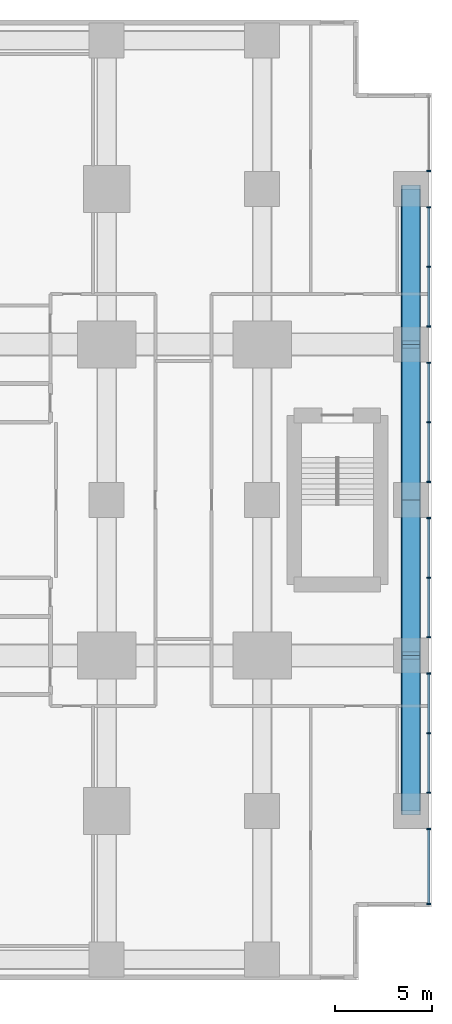
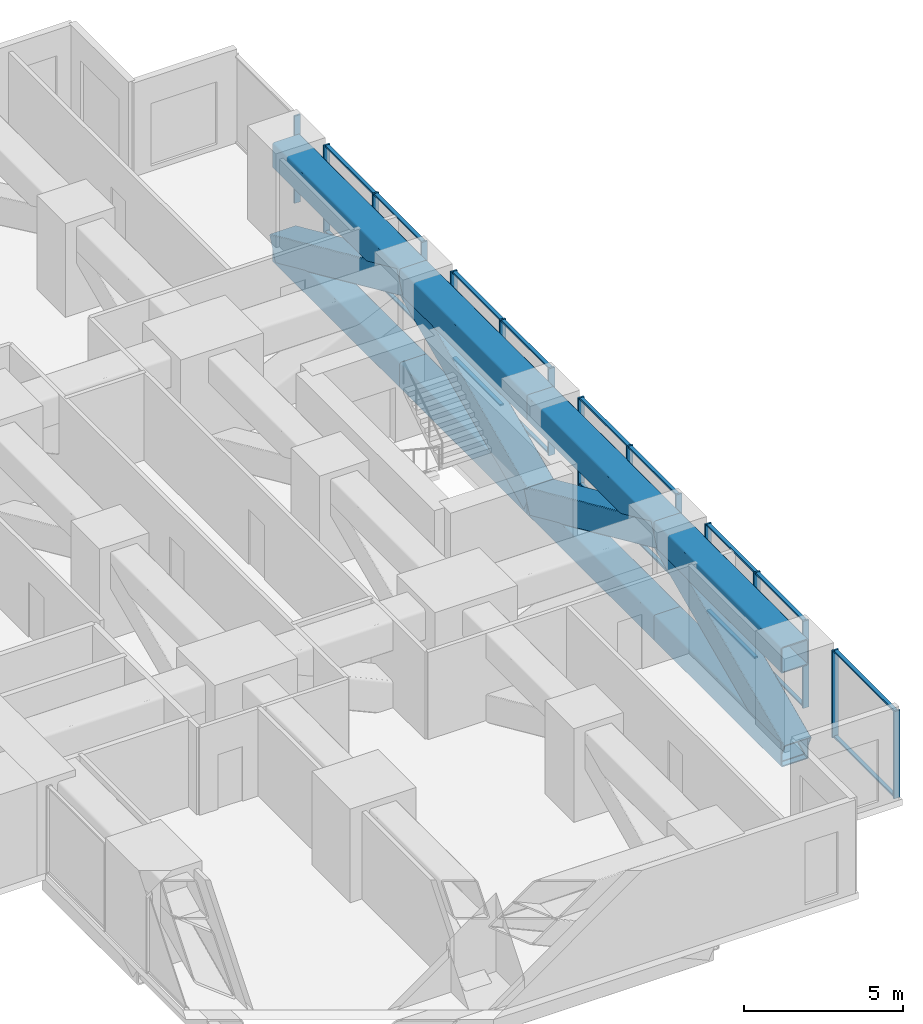
# One storey, part 7 of 14: 45 members, 6 elements without a shape of their own.
"""IFC4 building model written with IfcOpenShell, lengths in metres."""

import ifcopenshell
import ifcopenshell.guid

model = None  # the IFC model being written
_history = None  # IfcOwnerHistory: only IFC2X3 demands one
_inside = {}  # id of a spatial element -> (the spatial element, [elements in it])
_under = {}  # id of a project, library or spatial element -> (it, [spatial elements below it])
_declared = {}  # id of a project -> (the project, [libraries it declares])
_typed = {}  # id of a type object -> (the type object, [elements of that type])
_made_of = {}  # id of a material, layer set ... -> (it, [elements and type objects made of it])


def new_model(schema):
    """Start an empty IFC model of exactly this schema.

    Asked for "IFC4X3", IfcOpenShell would pick the latest addendum, in which some entities
    have other attributes; the version numbers below select the first issue.
    IFC2X3 requires an IfcOwnerHistory on every rooted entity: one is made here for all.
    """
    global model, _history
    if schema == "IFC4X3":
        model = ifcopenshell.file(schema_version=(4, 3, 0, 0))
    else:
        model = ifcopenshell.file(schema=schema)
    _inside.clear()
    _under.clear()
    _declared.clear()
    _typed.clear()
    _made_of.clear()
    _history = None
    if model.schema == "IFC2X3":
        org = make("IfcOrganization", Name="unknown")
        user = make(
            "IfcPersonAndOrganization",
            ThePerson=make("IfcPerson", FamilyName="unknown"),
            TheOrganization=org,
        )
        app = make(
            "IfcApplication",
            ApplicationDeveloper=org,
            Version="unknown",
            ApplicationFullName="unknown",
            ApplicationIdentifier="unknown",
        )
        _history = make(
            "IfcOwnerHistory",
            OwningUser=user,
            OwningApplication=app,
            ChangeAction="ADDED",
            CreationDate=0,
        )
    return model


def make(cls, **values):
    """One entity of the class cls with the attributes given. An attribute that is None is left unset."""
    return model.create_entity(
        cls, **{name: value for name, value in values.items() if value is not None}
    )


def rooted(cls, **values):
    """An entity with a GlobalId (a new one), such as an element, a storey or a relation."""
    return make(cls, GlobalId=ifcopenshell.guid.new(), OwnerHistory=_history, **values)


def si_unit(unit_type, name, prefix=None):
    """IfcSIUnit, for example si_unit("LENGTHUNIT", "METRE", prefix="MILLI")."""
    return make("IfcSIUnit", UnitType=unit_type, Prefix=prefix, Name=name)


def assignment(units):
    """IfcUnitAssignment: the units of a project."""
    return None if units is None else make("IfcUnitAssignment", Units=units)


def point(xyz):
    """IfcCartesianPoint."""
    return None if xyz is None else make("IfcCartesianPoint", Coordinates=xyz)


def direction(xyz):
    """IfcDirection."""
    return None if xyz is None else make("IfcDirection", DirectionRatios=xyz)


def frame(location, z_axis=None, x_axis=None):
    """IfcAxis2Placement3D, a coordinate frame: its origin and axes. An axis left out is left unset."""
    return make(
        "IfcAxis2Placement3D",
        Location=point(location),
        Axis=direction(z_axis),
        RefDirection=direction(x_axis),
    )


def frame_2d(location, x_axis=None):
    """IfcAxis2Placement2D, a coordinate frame in the plane: its origin and x axis."""
    return make(
        "IfcAxis2Placement2D", Location=point(location), RefDirection=direction(x_axis)
    )


def origin():
    """The frame at (0, 0, 0) with its axes left unset."""
    return frame((0.0, 0.0, 0.0))


def origin_2d():
    """The frame at (0, 0) in the plane with its x axis left unset."""
    return frame_2d((0.0, 0.0))


def place(relative_to, where):
    """IfcLocalPlacement: puts the frame where relative to a parent placement (None: the world)."""
    return make(
        "IfcLocalPlacement", PlacementRelTo=relative_to, RelativePlacement=where
    )


def context(
    kind, dimensions, precision=None, world=None, true_north=None, identifier=None
):
    """IfcGeometricRepresentationContext, for example the 3D "Model" context."""
    return make(
        "IfcGeometricRepresentationContext",
        ContextIdentifier=identifier,
        ContextType=kind,
        CoordinateSpaceDimension=dimensions,
        Precision=precision,
        WorldCoordinateSystem=world,
        TrueNorth=true_north,
    )


def subcontext(parent, identifier, kind, view, scale=None):
    """IfcGeometricRepresentationSubContext, for example "Body" below "Model"."""
    return make(
        "IfcGeometricRepresentationSubContext",
        ContextIdentifier=identifier,
        ContextType=kind,
        ParentContext=parent,
        TargetScale=scale,
        TargetView=view,
    )


def project(units=None, contexts=None):
    """IfcProject with its units and contexts."""
    return rooted(
        "IfcProject",
        Name="project",
        RepresentationContexts=contexts,
        UnitsInContext=assignment(units),
    )


def spatial(cls, under=None, at=None, **own):
    """A site, building, storey or space (cls), placed at a placement, below another one or the project."""
    s = rooted(cls, ObjectPlacement=at, **own)
    if under is not None:
        _under.setdefault(under.id(), (under, []))[1].append(s)
    return s


def profile(cls, at=None, kind="AREA", **sizes):
    """A parametric profile (cls). Its sizes go by their IFC names, for example OverallWidth=200.0."""
    return make(cls, ProfileType=kind, Position=at, **sizes)


def rectangle(**sizes):
    """IfcRectangleProfileDef."""
    return profile("IfcRectangleProfileDef", **sizes)


def hollow_rectangle(**sizes):
    """IfcRectangleHollowProfileDef."""
    return profile("IfcRectangleHollowProfileDef", **sizes)


def extrude(swept, where, along, depth):
    """IfcExtrudedAreaSolid: the profile swept, set in the frame where, extruded along a direction by depth."""
    return make(
        "IfcExtrudedAreaSolid",
        SweptArea=swept,
        Position=where,
        ExtrudedDirection=direction(along),
        Depth=depth,
    )


def shape(context_of_items, identifier, shape_type, items):
    """IfcShapeRepresentation: the items that make up one representation, for example the "Body"."""
    return make(
        "IfcShapeRepresentation",
        ContextOfItems=context_of_items,
        RepresentationIdentifier=identifier,
        RepresentationType=shape_type,
        Items=items,
    )


def material(Name=None, Category=None):
    """IfcMaterial."""
    return make("IfcMaterial", Name=Name, Category=Category)


def layer(
    of_material, thickness, ventilated=None, Name=None, Category=None, Priority=None
):
    """IfcMaterialLayer: one layer of a wall or slab, of a material (None: an air gap)."""
    return make(
        "IfcMaterialLayer",
        Material=of_material,
        LayerThickness=thickness,
        IsVentilated=ventilated,
        Name=Name,
        Category=Category,
        Priority=Priority,
    )


def layer_set(layers, Name=None):
    """IfcMaterialLayerSet."""
    return make("IfcMaterialLayerSet", MaterialLayers=layers, LayerSetName=Name)


def material_profile(
    of_material, cross_section, Name=None, Category=None, Priority=None
):
    """IfcMaterialProfile: a cross section and its material."""
    return make(
        "IfcMaterialProfile",
        Name=Name,
        Material=of_material,
        Profile=cross_section,
        Priority=Priority,
        Category=Category,
    )


def profile_set(profiles, Name=None, composite=None):
    """IfcMaterialProfileSet."""
    return make(
        "IfcMaterialProfileSet",
        Name=Name,
        MaterialProfiles=profiles,
        CompositeProfile=composite,
    )


def made_of(thing, what):
    """Note that an element or type object is made of a material, layer set ...; save() writes the relation."""
    if what is not None:
        _made_of.setdefault(what.id(), (what, []))[1].append(thing)
    return thing


def type_object(cls, material=None, **own):
    """A type object (cls), such as IfcWallType, which elements share."""
    return made_of(rooted(cls, **own), material)


def element(
    cls,
    number,
    at=None,
    inside=None,
    cuts=None,
    type_object=None,
    material=None,
    context=None,
    identifier="Body",
    shape_type=None,
    held_by="IfcProductDefinitionShape",
    body=None,
    shapes=None,
    **own,
):
    """One element of the class cls, such as IfcWall. Its Tag is "e" and its number.

    at: its placement. inside: the storey or other place that contains it. cuts: it is an
    opening in that element (IfcRelVoidsElement). A single representation is given by context,
    identifier, shape_type and body (its items); several are given by shapes. held_by: the class
    of the entity that holds the representations. save() writes the other relations.
    """
    e = rooted(cls, Tag="e%d" % number, ObjectPlacement=at, **own)
    if body is not None:
        shapes = [shape(context, identifier, shape_type, body)]
    if shapes is not None:
        e.Representation = make(held_by, Representations=shapes)
    if inside is not None:
        _inside.setdefault(inside.id(), (inside, []))[1].append(e)
    if cuts is not None:
        rooted(
            "IfcRelVoidsElement", RelatingBuildingElement=cuts, RelatedOpeningElement=e
        )
    if type_object is not None:
        _typed.setdefault(type_object.id(), (type_object, []))[1].append(e)
    return made_of(e, material)


def aggregate(whole, parts):
    """IfcRelAggregates: a whole, such as a stair, and the parts it consists of."""
    return rooted("IfcRelAggregates", RelatingObject=whole, RelatedObjects=parts)


def save(model, path):
    """Write the relations noted so far, then the file.

    IfcRelAggregates (storeys below a building ...), IfcRelContainedInSpatialStructure (elements
    in a storey), IfcRelDefinesByType, IfcRelAssociatesMaterial and IfcRelDeclares: one each for
    every whole, place, type object, material and project.
    """
    for whole, parts in _under.values():
        aggregate(whole, parts)
    for where, things in _inside.values():
        rooted(
            "IfcRelContainedInSpatialStructure",
            RelatedElements=things,
            RelatingStructure=where,
        )
    for kind, things in _typed.values():
        rooted("IfcRelDefinesByType", RelatedObjects=things, RelatingType=kind)
    for what, things in _made_of.values():
        rooted("IfcRelAssociatesMaterial", RelatedObjects=things, RelatingMaterial=what)
    for by, libraries in _declared.values():
        rooted("IfcRelDeclares", RelatingContext=by, RelatedDefinitions=libraries)
    model.write(path)


model = new_model("IFC4")

# Units and contexts
model_context = context("Model", 3, precision=1e-05, world=origin(), true_north=direction((0.0, 1.0)))
body_context = subcontext(model_context, "Body", "Model", "MODEL_VIEW")
ifc_project = project(units=[si_unit("LENGTHUNIT", "METRE"), si_unit("AREAUNIT", "SQUARE_METRE"), si_unit("VOLUMEUNIT", "CUBIC_METRE"), si_unit("PLANEANGLEUNIT", "RADIAN"), si_unit("MASSUNIT", "GRAM", prefix="KILO")], contexts=[model_context])

# Site, building, storey
site_placement = place(None, origin())
site = spatial("IfcSite", under=ifc_project, at=site_placement, CompositionType="ELEMENT")
building_placement = place(site_placement, origin())
building = spatial("IfcBuilding", under=site, at=building_placement, Name="Cleftline Residences", CompositionType="ELEMENT")
storey_placement = place(building_placement, frame((0.0, 0.0, 200.199951171875)))
storey = spatial("IfcBuildingStorey", under=building, at=storey_placement, Name="L52", CompositionType="ELEMENT", Elevation=200.199951171875)

# Members
ifc_material_1 = material(Name="Steel S355", Category="steel")
ifc_material_profile_1 = material_profile(ifc_material_1, hollow_rectangle(XDim=1.0, YDim=1.0, WallThickness=0.0400390625, InnerFilletRadius=0.0400390625, OuterFilletRadius=0.06005859375, at=origin_2d()))
ifc_profile_set_1 = profile_set([ifc_material_profile_1], Name="Steel S355")
member_type_1 = type_object("IfcMemberType", Name="BRACE BOX 1000X1000X40", PredefinedType="BRACE", material=ifc_profile_set_1)
for number, where, z_axis, x_axis, name in (
    (1, (65.64990234375, 8.0, -0.75), (0.0, 0.91191733938, 0.410373934525), (0.0, -0.410373934525, 0.91191733938), "Belt truss diagonal"),
    (2, (65.64990234375, 16.0, 2.85009765625), (0.0, 0.91191733938, -0.410373934525), (0.0, 0.410373934525, 0.91191733938), "Belt truss diagonal"),
    (3, (65.64990234375, 24.0, -0.75), (0.0, 0.91191733938, 0.410373934525), (0.0, -0.410373934525, 0.91191733938), "Belt truss diagonal"),
    (4, (65.64990234375, 32.0, 2.85009765625), (0.0, 0.91191733938, -0.410373934525), (0.0, 0.410373934525, 0.91191733938), "Belt truss diagonal"),
):
    element("IfcMember", number, at=place(storey_placement, frame(where, z_axis=z_axis, x_axis=x_axis)), inside=storey, type_object=member_type_1, Name=name, PredefinedType="BRACE", context=body_context, shape_type="SweptSolid", body=[
        extrude(hollow_rectangle(XDim=1.0, YDim=1.0, WallThickness=0.0400390625, InnerFilletRadius=0.0400390625, OuterFilletRadius=0.06005859375, at=origin_2d()), origin(), (0.0, 0.0, 1.0), 8.772705078125),
    ])
ifc_material_2 = material(Name="Steel S355", Category="steel")
ifc_material_profile_2 = material_profile(ifc_material_2, hollow_rectangle(XDim=1.0, YDim=1.0, WallThickness=0.0400390625, InnerFilletRadius=0.0400390625, OuterFilletRadius=0.06005859375, at=origin_2d()))
ifc_profile_set_2 = profile_set([ifc_material_profile_2], Name="Steel S355")
member_type_2 = type_object("IfcMemberType", Name="CHORD BOX 1000X1000X40", PredefinedType="CHORD", material=ifc_profile_set_2)
for number, where, z_axis, x_axis, name in (
    (5, (65.64990234375, 8.0, -0.75), (0.0, 1.0, 0.0), (-1.0, 0.0, 0.0), "Belt truss bottom chord"),
    (6, (65.64990234375, 8.0, 2.85009765625), (0.0, 1.0, 0.0), (-1.0, 0.0, 0.0), "Belt truss top chord"),
    (7, (65.64990234375, 16.0, -0.75), (0.0, 1.0, 0.0), (-1.0, 0.0, 0.0), "Belt truss bottom chord"),
    (8, (65.64990234375, 16.0, 2.85009765625), (0.0, 1.0, 0.0), (-1.0, 0.0, 0.0), "Belt truss top chord"),
    (9, (65.64990234375, 24.0, -0.75), (0.0, 1.0, 0.0), (-1.0, 0.0, 0.0), "Belt truss bottom chord"),
    (10, (65.64990234375, 24.0, 2.85009765625), (0.0, 1.0, 0.0), (-1.0, 0.0, 0.0), "Belt truss top chord"),
    (11, (65.64990234375, 32.0, -0.75), (0.0, 1.0, 0.0), (-1.0, 0.0, 0.0), "Belt truss bottom chord"),
    (12, (65.64990234375, 32.0, 2.85009765625), (0.0, 1.0, 0.0), (-1.0, 0.0, 0.0), "Belt truss top chord"),
):
    element("IfcMember", number, at=place(storey_placement, frame(where, z_axis=z_axis, x_axis=x_axis)), inside=storey, type_object=member_type_2, Name=name, PredefinedType="CHORD", context=body_context, shape_type="SweptSolid", body=[
        extrude(hollow_rectangle(XDim=1.0, YDim=1.0, WallThickness=0.0400390625, InnerFilletRadius=0.0400390625, OuterFilletRadius=0.06005859375, at=origin_2d()), origin(), (0.0, 0.0, 1.0), 8.0),
    ])

# Curtain wall, members
ifc_material_3 = material(Name="Aluminium framed curtain wall", Category="aluminium")
ifc_layer = layer(ifc_material_3, 0.199951171875)
ifc_layer_set = layer_set([ifc_layer], Name="CW4 SKY LOUNGE GLAZING")
curtain_wall_type = type_object("IfcCurtainWallType", Name="CW4 SKY LOUNGE GLAZING", PredefinedType="NOTDEFINED", material=ifc_layer_set)
curtain_wall_1_placement = place(storey_placement, origin())
curtain_wall_1 = element("IfcCurtainWall", 13, at=curtain_wall_1_placement, inside=storey, type_object=curtain_wall_type, Name="Curtain wall CW4", PredefinedType="NOTDEFINED")
ifc_material_4 = material(Name="Aluminium mullion", Category="aluminium")
ifc_material_profile_3 = material_profile(ifc_material_4, rectangle(XDim=0.219970703125, YDim=0.06494140625, at=origin_2d()))
ifc_profile_set_3 = profile_set([ifc_material_profile_3], Name="Aluminium mullion")
member_type_3 = type_object("IfcMemberType", Name="CW4 MULLION", PredefinedType="MULLION", material=ifc_profile_set_3)
member_1_placement = place(storey_placement, frame((66.574951171875, 3.20751953125, 0.0), z_axis=(0.0, 0.0, 1.0), x_axis=(-1.0, 0.0, 0.0)))
member_1 = element("IfcMember", 14, at=member_1_placement, type_object=member_type_3, Name="CW4 mullion 1", PredefinedType="MULLION", context=body_context, shape_type="SweptSolid", body=[
    extrude(rectangle(XDim=0.219970703125, YDim=0.06494140625, at=origin_2d()), origin(), (0.0, 0.0, 1.0), 3.35009765625),
])
member_2_placement = place(storey_placement, frame((66.574951171875, 7.0673828125, 0.0), z_axis=(0.0, 0.0, 1.0), x_axis=(-1.0, 0.0, 0.0)))
member_2 = element("IfcMember", 15, at=member_2_placement, type_object=member_type_3, Name="CW4 mullion 2", PredefinedType="MULLION", context=body_context, shape_type="SweptSolid", body=[
    extrude(rectangle(XDim=0.219970703125, YDim=0.06494140625, at=origin_2d()), origin(), (0.0, 0.0, 1.0), 3.35009765625),
])

curtain_wall_2_placement = place(storey_placement, origin())
curtain_wall_2 = element("IfcCurtainWall", 16, at=curtain_wall_2_placement, inside=storey, type_object=curtain_wall_type, Name="Curtain wall CW4", PredefinedType="NOTDEFINED")
member_3_placement = place(storey_placement, frame((66.574951171875, 8.9326171875, 0.0), z_axis=(0.0, 0.0, 1.0), x_axis=(-1.0, 0.0, 0.0)))
member_3 = element("IfcMember", 17, at=member_3_placement, type_object=member_type_3, Name="CW4 mullion 1", PredefinedType="MULLION", context=body_context, shape_type="SweptSolid", body=[
    extrude(rectangle(XDim=0.219970703125, YDim=0.06494140625, at=origin_2d()), origin(), (0.0, 0.0, 1.0), 3.35009765625),
])
member_4_placement = place(storey_placement, frame((66.574951171875, 12.0, 0.0), z_axis=(0.0, 0.0, 1.0), x_axis=(-1.0, 0.0, 0.0)))
member_4 = element("IfcMember", 18, at=member_4_placement, type_object=member_type_3, Name="CW4 mullion 2", PredefinedType="MULLION", context=body_context, shape_type="SweptSolid", body=[
    extrude(rectangle(XDim=0.219970703125, YDim=0.06494140625, at=origin_2d()), origin(), (0.0, 0.0, 1.0), 3.35009765625),
])
member_5_placement = place(storey_placement, frame((66.574951171875, 15.0673828125, 0.0), z_axis=(0.0, 0.0, 1.0), x_axis=(-1.0, 0.0, 0.0)))
member_5 = element("IfcMember", 19, at=member_5_placement, type_object=member_type_3, Name="CW4 mullion 3", PredefinedType="MULLION", context=body_context, shape_type="SweptSolid", body=[
    extrude(rectangle(XDim=0.219970703125, YDim=0.06494140625, at=origin_2d()), origin(), (0.0, 0.0, 1.0), 3.35009765625),
])

curtain_wall_3_placement = place(storey_placement, origin())
curtain_wall_3 = element("IfcCurtainWall", 20, at=curtain_wall_3_placement, inside=storey, type_object=curtain_wall_type, Name="Curtain wall CW4", PredefinedType="NOTDEFINED")
member_6_placement = place(storey_placement, frame((66.574951171875, 16.9326171875, 0.0), z_axis=(0.0, 0.0, 1.0), x_axis=(-1.0, 0.0, 0.0)))
member_6 = element("IfcMember", 21, at=member_6_placement, type_object=member_type_3, Name="CW4 mullion 1", PredefinedType="MULLION", context=body_context, shape_type="SweptSolid", body=[
    extrude(rectangle(XDim=0.219970703125, YDim=0.06494140625, at=origin_2d()), origin(), (0.0, 0.0, 1.0), 3.35009765625),
])
member_7_placement = place(storey_placement, frame((66.574951171875, 20.0, 0.0), z_axis=(0.0, 0.0, 1.0), x_axis=(-1.0, 0.0, 0.0)))
member_7 = element("IfcMember", 22, at=member_7_placement, type_object=member_type_3, Name="CW4 mullion 2", PredefinedType="MULLION", context=body_context, shape_type="SweptSolid", body=[
    extrude(rectangle(XDim=0.219970703125, YDim=0.06494140625, at=origin_2d()), origin(), (0.0, 0.0, 1.0), 3.35009765625),
])
member_8_placement = place(storey_placement, frame((66.574951171875, 23.0673828125, 0.0), z_axis=(0.0, 0.0, 1.0), x_axis=(-1.0, 0.0, 0.0)))
member_8 = element("IfcMember", 23, at=member_8_placement, type_object=member_type_3, Name="CW4 mullion 3", PredefinedType="MULLION", context=body_context, shape_type="SweptSolid", body=[
    extrude(rectangle(XDim=0.219970703125, YDim=0.06494140625, at=origin_2d()), origin(), (0.0, 0.0, 1.0), 3.35009765625),
])

curtain_wall_4_placement = place(storey_placement, origin())
curtain_wall_4 = element("IfcCurtainWall", 24, at=curtain_wall_4_placement, inside=storey, type_object=curtain_wall_type, Name="Curtain wall CW4", PredefinedType="NOTDEFINED")
member_9_placement = place(storey_placement, frame((66.574951171875, 24.9326171875, 0.0), z_axis=(0.0, 0.0, 1.0), x_axis=(-1.0, 0.0, 0.0)))
member_9 = element("IfcMember", 25, at=member_9_placement, type_object=member_type_3, Name="CW4 mullion 1", PredefinedType="MULLION", context=body_context, shape_type="SweptSolid", body=[
    extrude(rectangle(XDim=0.219970703125, YDim=0.06494140625, at=origin_2d()), origin(), (0.0, 0.0, 1.0), 3.35009765625),
])
member_10_placement = place(storey_placement, frame((66.574951171875, 28.0, 0.0), z_axis=(0.0, 0.0, 1.0), x_axis=(-1.0, 0.0, 0.0)))
member_10 = element("IfcMember", 26, at=member_10_placement, type_object=member_type_3, Name="CW4 mullion 2", PredefinedType="MULLION", context=body_context, shape_type="SweptSolid", body=[
    extrude(rectangle(XDim=0.219970703125, YDim=0.06494140625, at=origin_2d()), origin(), (0.0, 0.0, 1.0), 3.35009765625),
])
member_11_placement = place(storey_placement, frame((66.574951171875, 31.0673828125, 0.0), z_axis=(0.0, 0.0, 1.0), x_axis=(-1.0, 0.0, 0.0)))
member_11 = element("IfcMember", 27, at=member_11_placement, type_object=member_type_3, Name="CW4 mullion 3", PredefinedType="MULLION", context=body_context, shape_type="SweptSolid", body=[
    extrude(rectangle(XDim=0.219970703125, YDim=0.06494140625, at=origin_2d()), origin(), (0.0, 0.0, 1.0), 3.35009765625),
])

curtain_wall_5_placement = place(storey_placement, origin())
curtain_wall_5 = element("IfcCurtainWall", 28, at=curtain_wall_5_placement, inside=storey, type_object=curtain_wall_type, Name="Curtain wall CW4", PredefinedType="NOTDEFINED")
member_12_placement = place(storey_placement, frame((66.574951171875, 32.9326171875, 0.0), z_axis=(0.0, 0.0, 1.0), x_axis=(-1.0, 0.0, 0.0)))
member_12 = element("IfcMember", 29, at=member_12_placement, type_object=member_type_3, Name="CW4 mullion 1", PredefinedType="MULLION", context=body_context, shape_type="SweptSolid", body=[
    extrude(rectangle(XDim=0.219970703125, YDim=0.06494140625, at=origin_2d()), origin(), (0.0, 0.0, 1.0), 3.35009765625),
])
member_13_placement = place(storey_placement, frame((66.574951171875, 36.0, 0.0), z_axis=(0.0, 0.0, 1.0), x_axis=(-1.0, 0.0, 0.0)))
member_13 = element("IfcMember", 30, at=member_13_placement, type_object=member_type_3, Name="CW4 mullion 2", PredefinedType="MULLION", context=body_context, shape_type="SweptSolid", body=[
    extrude(rectangle(XDim=0.219970703125, YDim=0.06494140625, at=origin_2d()), origin(), (0.0, 0.0, 1.0), 3.35009765625),
])
member_14_placement = place(storey_placement, frame((66.574951171875, 39.0673828125, 0.0), z_axis=(0.0, 0.0, 1.0), x_axis=(-1.0, 0.0, 0.0)))
member_14 = element("IfcMember", 31, at=member_14_placement, type_object=member_type_3, Name="CW4 mullion 3", PredefinedType="MULLION", context=body_context, shape_type="SweptSolid", body=[
    extrude(rectangle(XDim=0.219970703125, YDim=0.06494140625, at=origin_2d()), origin(), (0.0, 0.0, 1.0), 3.35009765625),
])

# Curtain wall, member
curtain_wall_6_placement = place(storey_placement, origin())
curtain_wall_6 = element("IfcCurtainWall", 32, at=curtain_wall_6_placement, inside=storey, type_object=curtain_wall_type, Name="Curtain wall CW4", PredefinedType="NOTDEFINED")
member_15_placement = place(storey_placement, frame((66.574951171875, 40.9326171875, 0.0), z_axis=(0.0, 0.0, 1.0), x_axis=(-1.0, 0.0, 0.0)))
member_15 = element("IfcMember", 33, at=member_15_placement, type_object=member_type_3, Name="CW4 mullion 1", PredefinedType="MULLION", context=body_context, shape_type="SweptSolid", body=[
    extrude(rectangle(XDim=0.219970703125, YDim=0.06494140625, at=origin_2d()), origin(), (0.0, 0.0, 1.0), 3.35009765625),
])
aggregate(curtain_wall_6, [member_15])

# Member
ifc_material_5 = material(Name="Aluminium transom", Category="aluminium")
ifc_material_profile_4 = material_profile(ifc_material_5, rectangle(XDim=0.132080078125, YDim=0.06494140625, at=origin_2d()))
ifc_profile_set_4 = profile_set([ifc_material_profile_4], Name="Aluminium transom")
member_type_4 = type_object("IfcMemberType", Name="CW4 TRANSOM", PredefinedType="USERDEFINED", material=ifc_profile_set_4)
member_16_placement = place(storey_placement, frame((66.574951171875, 3.239990234375, 0.032470703125), z_axis=(0.0, 1.0, 0.0), x_axis=(-1.0, 0.0, 0.0)))
member_16 = element("IfcMember", 34, at=member_16_placement, type_object=member_type_4, Name="CW4 transom 1.1", ObjectType="TRANSOM", PredefinedType="USERDEFINED", context=body_context, shape_type="SweptSolid", body=[
    extrude(rectangle(XDim=0.132080078125, YDim=0.06494140625, at=origin_2d()), origin(), (0.0, 0.0, 1.0), 3.794921875),
])

member_17_placement = place(storey_placement, frame((66.574951171875, 3.239990234375, 3.317626953125), z_axis=(0.0, 1.0, 0.0), x_axis=(-1.0, 0.0, 0.0)))
member_17 = element("IfcMember", 35, at=member_17_placement, type_object=member_type_4, Name="CW4 transom 1.2", ObjectType="TRANSOM", PredefinedType="USERDEFINED", context=body_context, shape_type="SweptSolid", body=[
    extrude(rectangle(XDim=0.132080078125, YDim=0.06494140625, at=origin_2d()), origin(), (0.0, 0.0, 1.0), 3.794921875),
])

aggregate(curtain_wall_1, [member_1, member_2, member_16, member_17])

member_18_placement = place(storey_placement, frame((66.574951171875, 8.965087890625, 0.032470703125), z_axis=(0.0, 1.0, 0.0), x_axis=(-1.0, 0.0, 0.0)))
member_18 = element("IfcMember", 36, at=member_18_placement, type_object=member_type_4, Name="CW4 transom 1.1", ObjectType="TRANSOM", PredefinedType="USERDEFINED", context=body_context, shape_type="SweptSolid", body=[
    extrude(rectangle(XDim=0.132080078125, YDim=0.06494140625, at=origin_2d()), origin(), (0.0, 0.0, 1.0), 3.00244140625),
])

member_19_placement = place(storey_placement, frame((66.574951171875, 8.965087890625, 3.317626953125), z_axis=(0.0, 1.0, 0.0), x_axis=(-1.0, 0.0, 0.0)))
member_19 = element("IfcMember", 37, at=member_19_placement, type_object=member_type_4, Name="CW4 transom 1.2", ObjectType="TRANSOM", PredefinedType="USERDEFINED", context=body_context, shape_type="SweptSolid", body=[
    extrude(rectangle(XDim=0.132080078125, YDim=0.06494140625, at=origin_2d()), origin(), (0.0, 0.0, 1.0), 3.00244140625),
])

member_20_placement = place(storey_placement, frame((66.574951171875, 12.032470703125, 0.032470703125), z_axis=(0.0, 1.0, 0.0), x_axis=(-1.0, 0.0, 0.0)))
member_20 = element("IfcMember", 38, at=member_20_placement, type_object=member_type_4, Name="CW4 transom 2.1", ObjectType="TRANSOM", PredefinedType="USERDEFINED", context=body_context, shape_type="SweptSolid", body=[
    extrude(rectangle(XDim=0.132080078125, YDim=0.06494140625, at=origin_2d()), origin(), (0.0, 0.0, 1.0), 3.00244140625),
])

member_21_placement = place(storey_placement, frame((66.574951171875, 12.032470703125, 3.317626953125), z_axis=(0.0, 1.0, 0.0), x_axis=(-1.0, 0.0, 0.0)))
member_21 = element("IfcMember", 39, at=member_21_placement, type_object=member_type_4, Name="CW4 transom 2.2", ObjectType="TRANSOM", PredefinedType="USERDEFINED", context=body_context, shape_type="SweptSolid", body=[
    extrude(rectangle(XDim=0.132080078125, YDim=0.06494140625, at=origin_2d()), origin(), (0.0, 0.0, 1.0), 3.00244140625),
])

aggregate(curtain_wall_2, [member_3, member_4, member_5, member_18, member_19, member_20, member_21])

member_22_placement = place(storey_placement, frame((66.574951171875, 16.965087890625, 0.032470703125), z_axis=(0.0, 1.0, 0.0), x_axis=(-1.0, 0.0, 0.0)))
member_22 = element("IfcMember", 40, at=member_22_placement, type_object=member_type_4, Name="CW4 transom 1.1", ObjectType="TRANSOM", PredefinedType="USERDEFINED", context=body_context, shape_type="SweptSolid", body=[
    extrude(rectangle(XDim=0.132080078125, YDim=0.06494140625, at=origin_2d()), origin(), (0.0, 0.0, 1.0), 3.00244140625),
])

member_23_placement = place(storey_placement, frame((66.574951171875, 16.965087890625, 3.317626953125), z_axis=(0.0, 1.0, 0.0), x_axis=(-1.0, 0.0, 0.0)))
member_23 = element("IfcMember", 41, at=member_23_placement, type_object=member_type_4, Name="CW4 transom 1.2", ObjectType="TRANSOM", PredefinedType="USERDEFINED", context=body_context, shape_type="SweptSolid", body=[
    extrude(rectangle(XDim=0.132080078125, YDim=0.06494140625, at=origin_2d()), origin(), (0.0, 0.0, 1.0), 3.00244140625),
])

member_24_placement = place(storey_placement, frame((66.574951171875, 20.032470703125, 0.032470703125), z_axis=(0.0, 1.0, 0.0), x_axis=(-1.0, 0.0, 0.0)))
member_24 = element("IfcMember", 42, at=member_24_placement, type_object=member_type_4, Name="CW4 transom 2.1", ObjectType="TRANSOM", PredefinedType="USERDEFINED", context=body_context, shape_type="SweptSolid", body=[
    extrude(rectangle(XDim=0.132080078125, YDim=0.06494140625, at=origin_2d()), origin(), (0.0, 0.0, 1.0), 3.00244140625),
])

member_25_placement = place(storey_placement, frame((66.574951171875, 20.032470703125, 3.317626953125), z_axis=(0.0, 1.0, 0.0), x_axis=(-1.0, 0.0, 0.0)))
member_25 = element("IfcMember", 43, at=member_25_placement, type_object=member_type_4, Name="CW4 transom 2.2", ObjectType="TRANSOM", PredefinedType="USERDEFINED", context=body_context, shape_type="SweptSolid", body=[
    extrude(rectangle(XDim=0.132080078125, YDim=0.06494140625, at=origin_2d()), origin(), (0.0, 0.0, 1.0), 3.00244140625),
])

aggregate(curtain_wall_3, [member_6, member_7, member_8, member_22, member_23, member_24, member_25])

member_26_placement = place(storey_placement, frame((66.574951171875, 24.965087890625, 0.032470703125), z_axis=(0.0, 1.0, 0.0), x_axis=(-1.0, 0.0, 0.0)))
member_26 = element("IfcMember", 44, at=member_26_placement, type_object=member_type_4, Name="CW4 transom 1.1", ObjectType="TRANSOM", PredefinedType="USERDEFINED", context=body_context, shape_type="SweptSolid", body=[
    extrude(rectangle(XDim=0.132080078125, YDim=0.06494140625, at=origin_2d()), origin(), (0.0, 0.0, 1.0), 3.00244140625),
])

member_27_placement = place(storey_placement, frame((66.574951171875, 24.965087890625, 3.317626953125), z_axis=(0.0, 1.0, 0.0), x_axis=(-1.0, 0.0, 0.0)))
member_27 = element("IfcMember", 45, at=member_27_placement, type_object=member_type_4, Name="CW4 transom 1.2", ObjectType="TRANSOM", PredefinedType="USERDEFINED", context=body_context, shape_type="SweptSolid", body=[
    extrude(rectangle(XDim=0.132080078125, YDim=0.06494140625, at=origin_2d()), origin(), (0.0, 0.0, 1.0), 3.00244140625),
])

member_28_placement = place(storey_placement, frame((66.574951171875, 28.032470703125, 0.032470703125), z_axis=(0.0, 1.0, 0.0), x_axis=(-1.0, 0.0, 0.0)))
member_28 = element("IfcMember", 46, at=member_28_placement, type_object=member_type_4, Name="CW4 transom 2.1", ObjectType="TRANSOM", PredefinedType="USERDEFINED", context=body_context, shape_type="SweptSolid", body=[
    extrude(rectangle(XDim=0.132080078125, YDim=0.06494140625, at=origin_2d()), origin(), (0.0, 0.0, 1.0), 3.00244140625),
])

member_29_placement = place(storey_placement, frame((66.574951171875, 28.032470703125, 3.317626953125), z_axis=(0.0, 1.0, 0.0), x_axis=(-1.0, 0.0, 0.0)))
member_29 = element("IfcMember", 47, at=member_29_placement, type_object=member_type_4, Name="CW4 transom 2.2", ObjectType="TRANSOM", PredefinedType="USERDEFINED", context=body_context, shape_type="SweptSolid", body=[
    extrude(rectangle(XDim=0.132080078125, YDim=0.06494140625, at=origin_2d()), origin(), (0.0, 0.0, 1.0), 3.00244140625),
])

aggregate(curtain_wall_4, [member_9, member_10, member_11, member_26, member_27, member_28, member_29])

member_30_placement = place(storey_placement, frame((66.574951171875, 32.965087890625, 0.032470703125), z_axis=(0.0, 1.0, 0.0), x_axis=(-1.0, 0.0, 0.0)))
member_30 = element("IfcMember", 48, at=member_30_placement, type_object=member_type_4, Name="CW4 transom 1.1", ObjectType="TRANSOM", PredefinedType="USERDEFINED", context=body_context, shape_type="SweptSolid", body=[
    extrude(rectangle(XDim=0.132080078125, YDim=0.06494140625, at=origin_2d()), origin(), (0.0, 0.0, 1.0), 3.00244140625),
])

member_31_placement = place(storey_placement, frame((66.574951171875, 32.965087890625, 3.317626953125), z_axis=(0.0, 1.0, 0.0), x_axis=(-1.0, 0.0, 0.0)))
member_31 = element("IfcMember", 49, at=member_31_placement, type_object=member_type_4, Name="CW4 transom 1.2", ObjectType="TRANSOM", PredefinedType="USERDEFINED", context=body_context, shape_type="SweptSolid", body=[
    extrude(rectangle(XDim=0.132080078125, YDim=0.06494140625, at=origin_2d()), origin(), (0.0, 0.0, 1.0), 3.00244140625),
])

member_32_placement = place(storey_placement, frame((66.574951171875, 36.032470703125, 0.032470703125), z_axis=(0.0, 1.0, 0.0), x_axis=(-1.0, 0.0, 0.0)))
member_32 = element("IfcMember", 50, at=member_32_placement, type_object=member_type_4, Name="CW4 transom 2.1", ObjectType="TRANSOM", PredefinedType="USERDEFINED", context=body_context, shape_type="SweptSolid", body=[
    extrude(rectangle(XDim=0.132080078125, YDim=0.06494140625, at=origin_2d()), origin(), (0.0, 0.0, 1.0), 3.00244140625),
])

member_33_placement = place(storey_placement, frame((66.574951171875, 36.032470703125, 3.317626953125), z_axis=(0.0, 1.0, 0.0), x_axis=(-1.0, 0.0, 0.0)))
member_33 = element("IfcMember", 51, at=member_33_placement, type_object=member_type_4, Name="CW4 transom 2.2", ObjectType="TRANSOM", PredefinedType="USERDEFINED", context=body_context, shape_type="SweptSolid", body=[
    extrude(rectangle(XDim=0.132080078125, YDim=0.06494140625, at=origin_2d()), origin(), (0.0, 0.0, 1.0), 3.00244140625),
])

aggregate(curtain_wall_5, [member_12, member_13, member_14, member_30, member_31, member_32, member_33])

save(model, "model.ifc")
